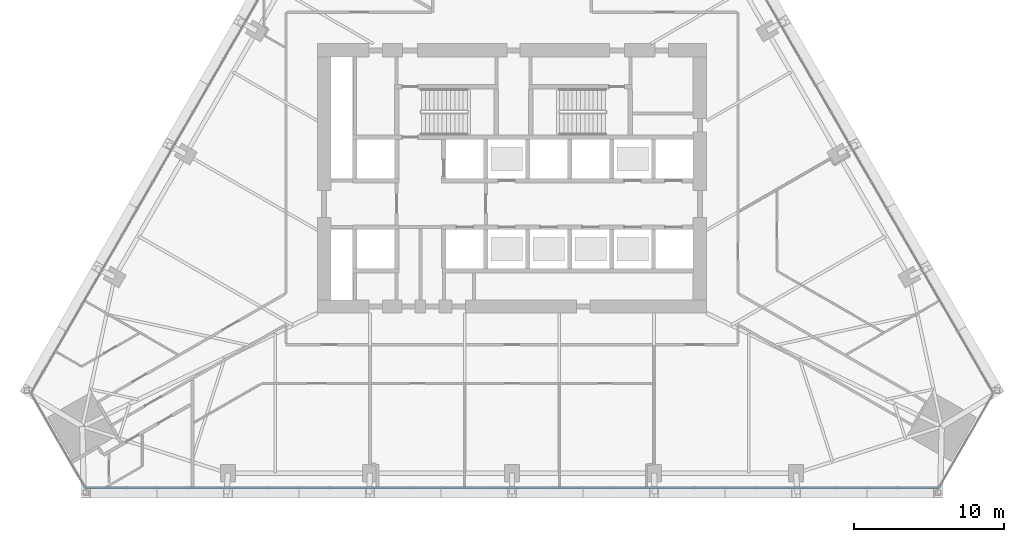
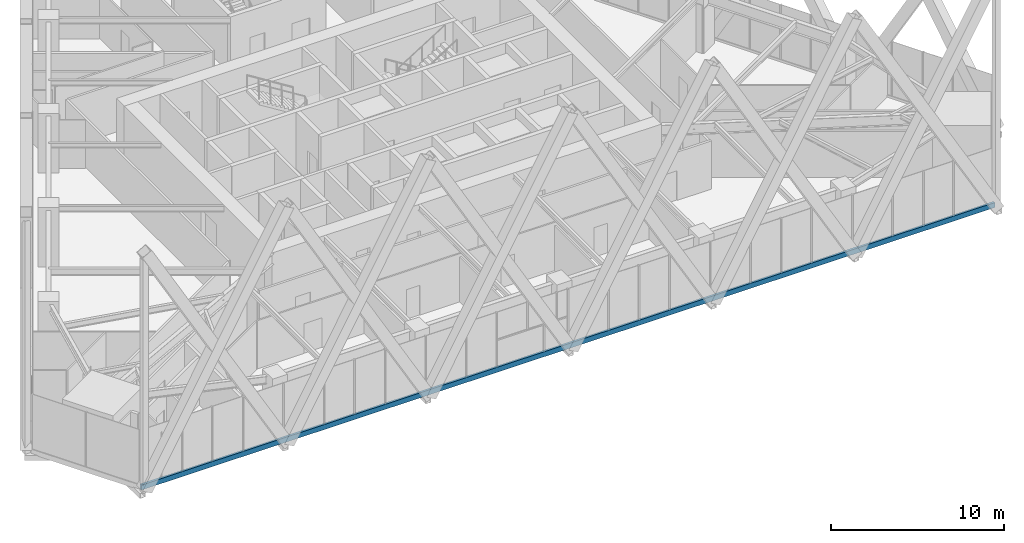
# One storey, part 6 of 21: 1 member, 1 element without a shape of its own.
"""IFC4 building model written with IfcOpenShell, lengths in metres."""

from ifc_helpers import new_model, si_unit, direction, frame, origin, origin_2d, place, context, subcontext, project, spatial, rectangle, extrude, material, layer, layer_set, material_profile, profile_set, type_object, element, aggregate, save


model = new_model("IFC4")

# Units and contexts
model_context = context("Model", 3, precision=1e-05, world=origin(), true_north=direction((0.0, 1.0)))
body_context = subcontext(model_context, "Body", "Model", "MODEL_VIEW")
ifc_project = project(units=[si_unit("LENGTHUNIT", "METRE"), si_unit("AREAUNIT", "SQUARE_METRE"), si_unit("VOLUMEUNIT", "CUBIC_METRE"), si_unit("PLANEANGLEUNIT", "RADIAN"), si_unit("MASSUNIT", "GRAM", prefix="KILO")], contexts=[model_context])

# Site, building, storey
site_placement = place(None, origin())
site = spatial("IfcSite", under=ifc_project, at=site_placement, CompositionType="ELEMENT")
building_placement = place(site_placement, origin())
building = spatial("IfcBuilding", under=site, at=building_placement, Name="Firuza Gate Tower and Library", CompositionType="ELEMENT")
storey_placement = place(building_placement, frame((0.0, 0.0, 73.60009765625)))
storey = spatial("IfcBuildingStorey", under=building, at=storey_placement, Name="L16", CompositionType="ELEMENT", Elevation=73.60009765625)

# Curtain wall, member
ifc_material_1 = material(Name="Aluminium 6063-T6", Category="aluminium")
ifc_layer = layer(ifc_material_1, 0.14990234375)
ifc_layer_set = layer_set([ifc_layer], Name="Unitised curtain wall, offices")
curtain_wall_type = type_object("IfcCurtainWallType", Name="Unitised curtain wall, offices", PredefinedType="NOTDEFINED", material=ifc_layer_set)
curtain_wall_placement = place(storey_placement, origin())
curtain_wall = element("IfcCurtainWall", 1, at=curtain_wall_placement, inside=storey, type_object=curtain_wall_type, Name="CW1 L16 S face", PredefinedType="NOTDEFINED")
ifc_material_2 = material(Name="Aluminium 6063-T6", Category="aluminium")
ifc_material_profile = material_profile(ifc_material_2, rectangle(XDim=0.14990234375, YDim=0.35009765625, at=origin_2d()))
ifc_profile_set = profile_set([ifc_material_profile], Name="Aluminium 6063-T6")
member_type = type_object("IfcMemberType", Name="Curtain wall transom 350x150", PredefinedType="USERDEFINED", material=ifc_profile_set)
member_placement = place(storey_placement, frame((46.500732421875, 54.339111328125, -0.025146484375), z_axis=(1.0, 0.0, 0.0), x_axis=(0.0, 1.0, 0.0)))
member = element("IfcMember", 2, at=member_placement, type_object=member_type, Name="Transom", ObjectType="TRANSOM", PredefinedType="USERDEFINED", context=body_context, shape_type="SweptSolid", body=[
    extrude(rectangle(XDim=0.14990234375, YDim=0.35009765625, at=origin_2d()), origin(), (0.0, 0.0, 1.0), 56.99853515625),
])
aggregate(curtain_wall, [member])

save(model, "model.ifc")
